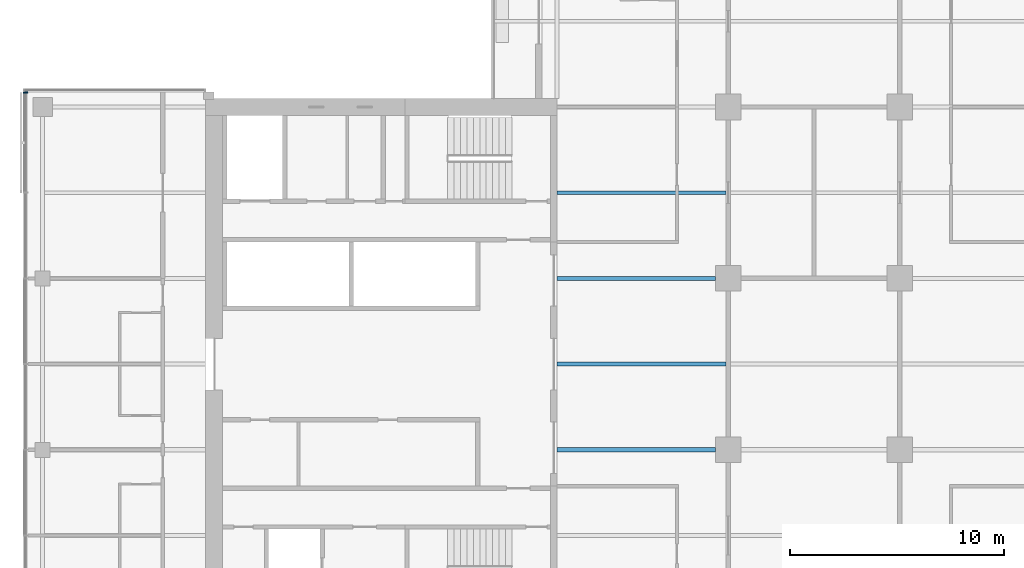
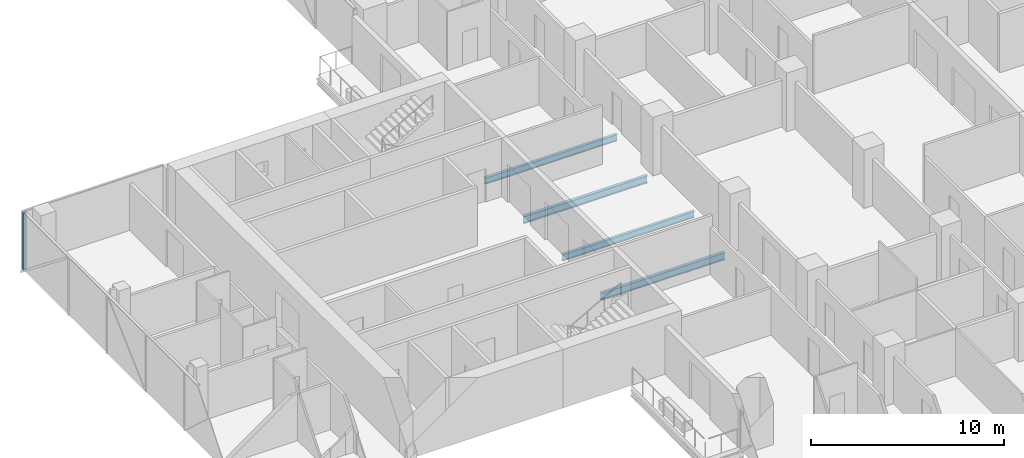
# One storey, part 7 of 27: 4 beams, 1 member, 1 element without a shape of its own.
"""IFC4 building model written with IfcOpenShell, lengths in metres."""

from ifc_helpers import new_model, si_unit, direction, frame, origin, origin_2d, place, context, subcontext, project, spatial, rectangle, i_section, extrude, material, material_profile, profile_set, type_object, element, aggregate, save


model = new_model("IFC4")

# Units and contexts
model_context = context("Model", 3, precision=1e-05, world=origin(), true_north=direction((0.0, 1.0)))
body_context = subcontext(model_context, "Body", "Model", "MODEL_VIEW")
ifc_project = project(units=[si_unit("LENGTHUNIT", "METRE"), si_unit("AREAUNIT", "SQUARE_METRE"), si_unit("VOLUMEUNIT", "CUBIC_METRE"), si_unit("PLANEANGLEUNIT", "RADIAN"), si_unit("MASSUNIT", "GRAM", prefix="KILO")], contexts=[model_context])

# Site, building, storey
site_placement = place(None, origin())
site = spatial("IfcSite", under=ifc_project, at=site_placement, CompositionType="ELEMENT")
building_placement = place(site_placement, origin())
building = spatial("IfcBuilding", under=site, at=building_placement, Name="Crosswind Convention Tower", CompositionType="ELEMENT")
storey_placement = place(building_placement, frame((0.0, 0.0, 75.699951171875)))
storey = spatial("IfcBuildingStorey", under=building, at=storey_placement, Name="L13", CompositionType="ELEMENT", Elevation=75.699951171875)

# Beams
ifc_material_1 = material(Name="Steel S355", Category="steel")
ifc_material_profile_1 = material_profile(ifc_material_1, i_section(OverallWidth=0.19189453125, OverallDepth=0.463623046875, WebThickness=0.010498046875, FlangeThickness=0.017578125, FilletRadius=0.01025390625, at=origin_2d()), Name="UB 457x191x90")
ifc_profile_set_1 = profile_set([ifc_material_profile_1], Name="Steel S355")
beam_type_1 = type_object("IfcBeamType", Name="Girder at core wall UB 457x191x90", PredefinedType="BEAM", material=ifc_profile_set_1)
for number, where, z_axis, x_axis, name in (
    (1, (113.0, 96.0, -0.51171875), (1.0, 0.0, 0.0), (0.0, 1.0, 0.0), "B24 L13 girder at core wall 4"),
    (2, (113.0, 104.0, -0.51171875), (1.0, 0.0, 0.0), (0.0, 1.0, 0.0), "B24 L13 girder at core wall 5"),
):
    element("IfcBeam", number, at=place(storey_placement, frame(where, z_axis=z_axis, x_axis=x_axis)), inside=storey, type_object=beam_type_1, Name=name, PredefinedType="BEAM", context=body_context, shape_type="SweptSolid", body=[
        extrude(i_section(OverallWidth=0.19189453125, OverallDepth=0.463623046875, WebThickness=0.010498046875, FlangeThickness=0.017578125, FilletRadius=0.01025390625, at=origin_2d()), origin(), (0.0, 0.0, 1.0), 7.39990234375),
    ])

# Curtain wall, member
ifc_material_2 = material(Name="Aluminium unitised curtain wall", Category="aluminium")
curtain_wall_type = type_object("IfcCurtainWallType", Name="HOTEL UNITISED WALL 200", PredefinedType="USERDEFINED", material=ifc_material_2)
curtain_wall_placement = place(storey_placement, origin())
curtain_wall = element("IfcCurtainWall", 3, at=curtain_wall_placement, inside=storey, type_object=curtain_wall_type, Name="CW2 L13 W-TIP 1", ObjectType="UNITISED", PredefinedType="USERDEFINED")
ifc_material_3 = material(Name="Aluminium mullion", Category="aluminium")
ifc_material_profile_2 = material_profile(ifc_material_3, rectangle(XDim=0.199951171875, YDim=0.06494140625, at=origin_2d()), Name="AL 200X65")
ifc_profile_set_2 = profile_set([ifc_material_profile_2], Name="Aluminium mullion")
member_type = type_object("IfcMemberType", Name="MULLION 65X200", PredefinedType="MULLION", material=ifc_profile_set_2)
member_placement = place(storey_placement, frame((88.199951171875, 112.66748046875, -0.280029296875), z_axis=(0.0, 0.0, 1.0), x_axis=(-1.0, 0.0, 0.0)))
member = element("IfcMember", 4, at=member_placement, type_object=member_type, Name="CW2 mullion 1", PredefinedType="MULLION", context=body_context, shape_type="SweptSolid", body=[
    extrude(rectangle(XDim=0.199951171875, YDim=0.06494140625, at=origin_2d()), origin(), (0.0, 0.0, 1.0), 3.635009765625),
])
aggregate(curtain_wall, [member])

# Beams
ifc_material_profile_3 = material_profile(ifc_material_1, i_section(OverallWidth=0.177734375, OverallDepth=0.406494140625, WebThickness=0.0078125, FlangeThickness=0.0126953125, FilletRadius=0.01025390625, at=origin_2d()), Name="UB 406x178x60")
ifc_profile_set_3 = profile_set([ifc_material_profile_3], Name="Steel S355")
beam_type_2 = type_object("IfcBeamType", Name="Secondary beam UB 406x178x60", PredefinedType="JOIST", material=ifc_profile_set_3)
for number, where, z_axis, x_axis, name in (
    (5, (113.0, 100.0, -0.483154296875), (1.0, 0.0, 0.0), (0.0, 1.0, 0.0), "B10 L13 secondary beam 5"),
    (6, (113.0, 108.0, -0.483154296875), (1.0, 0.0, 0.0), (0.0, 1.0, 0.0), "B10 L13 secondary beam 6"),
):
    element("IfcBeam", number, at=place(storey_placement, frame(where, z_axis=z_axis, x_axis=x_axis)), inside=storey, type_object=beam_type_2, Name=name, PredefinedType="JOIST", context=body_context, shape_type="SweptSolid", body=[
        extrude(i_section(OverallWidth=0.177734375, OverallDepth=0.406494140625, WebThickness=0.0078125, FlangeThickness=0.0126953125, FilletRadius=0.01025390625, at=origin_2d()), origin(), (0.0, 0.0, 1.0), 7.904296875),
    ])

save(model, "model.ifc")
